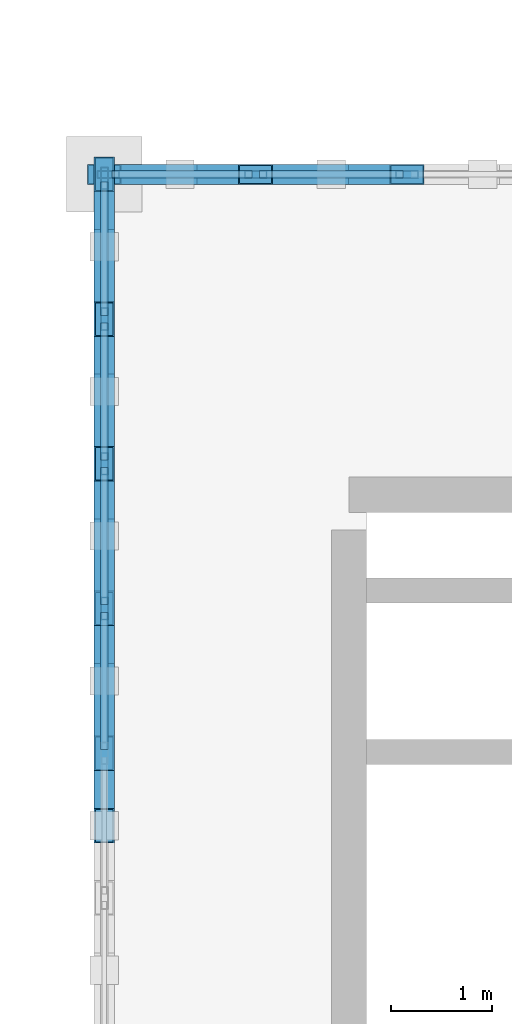
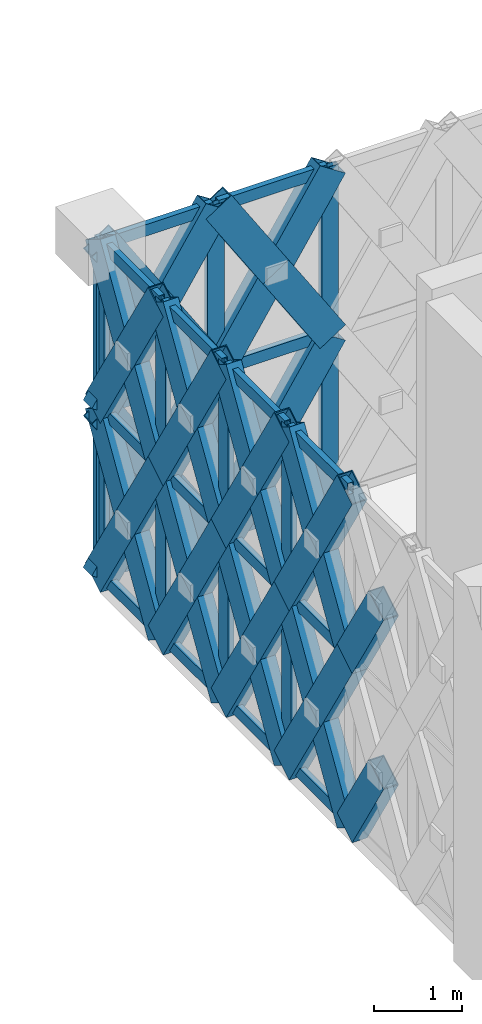
# One storey, part 36 of 72: 63 members, 2 elements without a shape of their own.
"""IFC4 building model written with IfcOpenShell, lengths in metres."""

from ifc_helpers import new_model, si_unit, direction, frame, origin, origin_2d, place, context, subcontext, project, spatial, hollow_rectangle, extrude, material, material_profile, profile_set, type_object, element, aggregate, save


model = new_model("IFC4")

# Units and contexts
model_context = context("Model", 3, precision=1e-05, world=origin(), true_north=direction((0.0, 1.0)))
body_context = subcontext(model_context, "Body", "Model", "MODEL_VIEW")
ifc_project = project(units=[si_unit("LENGTHUNIT", "METRE"), si_unit("AREAUNIT", "SQUARE_METRE"), si_unit("VOLUMEUNIT", "CUBIC_METRE"), si_unit("PLANEANGLEUNIT", "RADIAN"), si_unit("MASSUNIT", "GRAM", prefix="KILO")], contexts=[model_context])

# Site, building, storey
site_placement = place(None, origin())
site = spatial("IfcSite", under=ifc_project, at=site_placement, CompositionType="ELEMENT")
building_placement = place(site_placement, origin())
building = spatial("IfcBuilding", under=site, at=building_placement, Name="Haizhuo Lancet Aquarium", CompositionType="ELEMENT")
storey_placement = place(building_placement, frame((0.0, 0.0, 21.60009765625)))
storey = spatial("IfcBuildingStorey", under=building, at=storey_placement, Name="L04", CompositionType="ELEMENT", Elevation=21.60009765625)

# Curtain wall, members
ifc_material_1 = material(Name="Aluminium 6063-T6", Category="aluminium")
curtain_wall_type_1 = type_object("IfcCurtainWallType", Name="CWD-9000x4650", PredefinedType="NOTDEFINED", material=ifc_material_1)
curtain_wall_1_placement = place(storey_placement, origin())
curtain_wall_1 = element("IfcCurtainWall", 1, at=curtain_wall_1_placement, inside=storey, type_object=curtain_wall_type_1, Name="L04 curtain wall CW-V5-L04-176", PredefinedType="NOTDEFINED")
ifc_material_profile_1 = material_profile(ifc_material_1, hollow_rectangle(XDim=0.074951171875, YDim=0.219970703125, WallThickness=0.0048828125, at=origin_2d()), Name="ALU-M 75x220x5")
ifc_profile_set_1 = profile_set([ifc_material_profile_1], Name="Aluminium 6063-T6")
member_type_1 = type_object("IfcMemberType", Name="CW-MUL-2", PredefinedType="MULLION", material=ifc_profile_set_1)
member_1_placement = place(storey_placement, frame((-26.9619140625, 54.0, 0.0), z_axis=(0.0, 0.0, 1.0), x_axis=(0.0, 1.0, 0.0)))
member_1 = element("IfcMember", 2, at=member_1_placement, type_object=member_type_1, Name="CWD-90x46 mullion 1", PredefinedType="MULLION", context=body_context, shape_type="SweptSolid", body=[
    extrude(hollow_rectangle(XDim=0.074951171875, YDim=0.219970703125, WallThickness=0.0048828125, at=origin_2d()), origin(), (0.0, 0.0, 1.0), 4.64990234375),
])
member_2_placement = place(storey_placement, frame((-25.5, 54.0, 0.0), z_axis=(0.0, 0.0, 1.0), x_axis=(0.0, 1.0, 0.0)))
member_2 = element("IfcMember", 3, at=member_2_placement, type_object=member_type_1, Name="CWD-90x46 mullion 2", PredefinedType="MULLION", context=body_context, shape_type="SweptSolid", body=[
    extrude(hollow_rectangle(XDim=0.074951171875, YDim=0.219970703125, WallThickness=0.0048828125, at=origin_2d()), origin(), (0.0, 0.0, 1.0), 4.64990234375),
])
member_3_placement = place(storey_placement, frame((-24.0, 54.0, 0.0), z_axis=(0.0, 0.0, 1.0), x_axis=(0.0, 1.0, 0.0)))
member_3 = element("IfcMember", 4, at=member_3_placement, type_object=member_type_1, Name="CWD-90x46 mullion 3", PredefinedType="MULLION", context=body_context, shape_type="SweptSolid", body=[
    extrude(hollow_rectangle(XDim=0.074951171875, YDim=0.219970703125, WallThickness=0.0048828125, at=origin_2d()), origin(), (0.0, 0.0, 1.0), 4.64990234375),
])

curtain_wall_type_2 = type_object("IfcCurtainWallType", Name="CWD-8600x4700", PredefinedType="NOTDEFINED", material=ifc_material_1)
curtain_wall_2_placement = place(storey_placement, origin())
curtain_wall_2 = element("IfcCurtainWall", 5, at=curtain_wall_2_placement, inside=storey, type_object=curtain_wall_type_2, Name="L04 curtain wall CW-V5-L04-191", PredefinedType="NOTDEFINED")
member_4_placement = place(storey_placement, frame((-27.0, 49.697998046875, 0.0), z_axis=(0.0, 0.0, 1.0), x_axis=(-1.0, 0.0, 0.0)))
member_4 = element("IfcMember", 6, at=member_4_placement, type_object=member_type_1, Name="CWD-86x47 mullion 4", PredefinedType="MULLION", context=body_context, shape_type="SweptSolid", body=[
    extrude(hollow_rectangle(XDim=0.074951171875, YDim=0.219970703125, WallThickness=0.0048828125, at=origin_2d()), origin(), (0.0, 0.0, 1.0), 4.699951171875),
])
member_5_placement = place(storey_placement, frame((-27.0, 51.132080078125, 0.0), z_axis=(0.0, 0.0, 1.0), x_axis=(-1.0, 0.0, 0.0)))
member_5 = element("IfcMember", 7, at=member_5_placement, type_object=member_type_1, Name="CWD-86x47 mullion 5", PredefinedType="MULLION", context=body_context, shape_type="SweptSolid", body=[
    extrude(hollow_rectangle(XDim=0.074951171875, YDim=0.219970703125, WallThickness=0.0048828125, at=origin_2d()), origin(), (0.0, 0.0, 1.0), 4.699951171875),
])
member_6_placement = place(storey_placement, frame((-27.0, 52.56591796875, 0.0), z_axis=(0.0, 0.0, 1.0), x_axis=(-1.0, 0.0, 0.0)))
member_6 = element("IfcMember", 8, at=member_6_placement, type_object=member_type_1, Name="CWD-86x47 mullion 6", PredefinedType="MULLION", context=body_context, shape_type="SweptSolid", body=[
    extrude(hollow_rectangle(XDim=0.074951171875, YDim=0.219970703125, WallThickness=0.0048828125, at=origin_2d()), origin(), (0.0, 0.0, 1.0), 4.699951171875),
])
member_7_placement = place(storey_placement, frame((-27.0, 53.9619140625, 0.0), z_axis=(0.0, 0.0, 1.0), x_axis=(-1.0, 0.0, 0.0)))
member_7 = element("IfcMember", 9, at=member_7_placement, type_object=member_type_1, Name="CWD-86x47 mullion 7", PredefinedType="MULLION", context=body_context, shape_type="SweptSolid", body=[
    extrude(hollow_rectangle(XDim=0.074951171875, YDim=0.219970703125, WallThickness=0.0048828125, at=origin_2d()), origin(), (0.0, 0.0, 1.0), 4.699951171875),
])

# Member
ifc_material_profile_2 = material_profile(ifc_material_1, hollow_rectangle(XDim=0.074951171875, YDim=0.159912109375, WallThickness=0.00390625, at=origin_2d()), Name="ALU-T 75x160x4")
ifc_profile_set_2 = profile_set([ifc_material_profile_2], Name="Aluminium 6063-T6")
member_type_2 = type_object("IfcMemberType", Name="CW-TRN-2", PredefinedType="NOTDEFINED", material=ifc_profile_set_2)
member_8_placement = place(storey_placement, frame((-26.925048828125, 54.0, 0.037841796875), z_axis=(1.0, 0.0, 0.0), x_axis=(0.0, 1.0, 0.0)))
member_8 = element("IfcMember", 10, at=member_8_placement, type_object=member_type_2, Name="CWD-90x46 transom 1.1", ObjectType="TRANSOM", PredefinedType="USERDEFINED", context=body_context, shape_type="SweptSolid", body=[
    extrude(hollow_rectangle(XDim=0.074951171875, YDim=0.159912109375, WallThickness=0.00390625, at=origin_2d()), origin(), (0.0, 0.0, 1.0), 1.386962890625),
])

member_9_placement = place(storey_placement, frame((-26.925048828125, 54.0, 2.324951171875), z_axis=(1.0, 0.0, 0.0), x_axis=(0.0, 1.0, 0.0)))
member_9 = element("IfcMember", 11, at=member_9_placement, type_object=member_type_2, Name="CWD-90x46 transom 1.2", ObjectType="TRANSOM", PredefinedType="USERDEFINED", context=body_context, shape_type="SweptSolid", body=[
    extrude(hollow_rectangle(XDim=0.074951171875, YDim=0.159912109375, WallThickness=0.00390625, at=origin_2d()), origin(), (0.0, 0.0, 1.0), 1.386962890625),
])

member_10_placement = place(storey_placement, frame((-26.925048828125, 54.0, 4.61181640625), z_axis=(1.0, 0.0, 0.0), x_axis=(0.0, 1.0, 0.0)))
member_10 = element("IfcMember", 12, at=member_10_placement, type_object=member_type_2, Name="CWD-90x46 transom 1.3", ObjectType="TRANSOM", PredefinedType="USERDEFINED", context=body_context, shape_type="SweptSolid", body=[
    extrude(hollow_rectangle(XDim=0.074951171875, YDim=0.159912109375, WallThickness=0.00390625, at=origin_2d()), origin(), (0.0, 0.0, 1.0), 1.386962890625),
])

member_11_placement = place(storey_placement, frame((-25.4619140625, 54.0, 0.037841796875), z_axis=(1.0, 0.0, 0.0), x_axis=(0.0, 1.0, 0.0)))
member_11 = element("IfcMember", 13, at=member_11_placement, type_object=member_type_2, Name="CWD-90x46 transom 2.1", ObjectType="TRANSOM", PredefinedType="USERDEFINED", context=body_context, shape_type="SweptSolid", body=[
    extrude(hollow_rectangle(XDim=0.074951171875, YDim=0.159912109375, WallThickness=0.00390625, at=origin_2d()), origin(), (0.0, 0.0, 1.0), 1.423828125),
])

member_12_placement = place(storey_placement, frame((-25.4619140625, 54.0, 2.324951171875), z_axis=(1.0, 0.0, 0.0), x_axis=(0.0, 1.0, 0.0)))
member_12 = element("IfcMember", 14, at=member_12_placement, type_object=member_type_2, Name="CWD-90x46 transom 2.2", ObjectType="TRANSOM", PredefinedType="USERDEFINED", context=body_context, shape_type="SweptSolid", body=[
    extrude(hollow_rectangle(XDim=0.074951171875, YDim=0.159912109375, WallThickness=0.00390625, at=origin_2d()), origin(), (0.0, 0.0, 1.0), 1.423828125),
])

member_13_placement = place(storey_placement, frame((-25.4619140625, 54.0, 4.61181640625), z_axis=(1.0, 0.0, 0.0), x_axis=(0.0, 1.0, 0.0)))
member_13 = element("IfcMember", 15, at=member_13_placement, type_object=member_type_2, Name="CWD-90x46 transom 2.3", ObjectType="TRANSOM", PredefinedType="USERDEFINED", context=body_context, shape_type="SweptSolid", body=[
    extrude(hollow_rectangle(XDim=0.074951171875, YDim=0.159912109375, WallThickness=0.00390625, at=origin_2d()), origin(), (0.0, 0.0, 1.0), 1.423828125),
])

aggregate(curtain_wall_1, [member_1, member_2, member_3, member_8, member_9, member_10, member_11, member_12, member_13])

member_14_placement = place(storey_placement, frame((-27.0, 48.301025390625, 0.037841796875), z_axis=(0.0, 1.0, 0.0), x_axis=(-1.0, 0.0, 0.0)))
member_14 = element("IfcMember", 16, at=member_14_placement, type_object=member_type_2, Name="CWD-86x47 transom 3.1", ObjectType="TRANSOM", PredefinedType="USERDEFINED", context=body_context, shape_type="SweptSolid", body=[
    extrude(hollow_rectangle(XDim=0.074951171875, YDim=0.159912109375, WallThickness=0.00390625, at=origin_2d()), origin(), (0.0, 0.0, 1.0), 1.35888671875),
])

member_15_placement = place(storey_placement, frame((-27.0, 48.301025390625, 2.349853515625), z_axis=(0.0, 1.0, 0.0), x_axis=(-1.0, 0.0, 0.0)))
member_15 = element("IfcMember", 17, at=member_15_placement, type_object=member_type_2, Name="CWD-86x47 transom 3.2", ObjectType="TRANSOM", PredefinedType="USERDEFINED", context=body_context, shape_type="SweptSolid", body=[
    extrude(hollow_rectangle(XDim=0.074951171875, YDim=0.159912109375, WallThickness=0.00390625, at=origin_2d()), origin(), (0.0, 0.0, 1.0), 1.35888671875),
])

member_16_placement = place(storey_placement, frame((-27.0, 48.301025390625, 4.661865234375), z_axis=(0.0, 1.0, 0.0), x_axis=(-1.0, 0.0, 0.0)))
member_16 = element("IfcMember", 18, at=member_16_placement, type_object=member_type_2, Name="CWD-86x47 transom 3.3", ObjectType="TRANSOM", PredefinedType="USERDEFINED", context=body_context, shape_type="SweptSolid", body=[
    extrude(hollow_rectangle(XDim=0.074951171875, YDim=0.159912109375, WallThickness=0.00390625, at=origin_2d()), origin(), (0.0, 0.0, 1.0), 1.35888671875),
])

member_17_placement = place(storey_placement, frame((-27.0, 49.735107421875, 0.037841796875), z_axis=(0.0, 1.0, 0.0), x_axis=(-1.0, 0.0, 0.0)))
member_17 = element("IfcMember", 19, at=member_17_placement, type_object=member_type_2, Name="CWD-86x47 transom 4.1", ObjectType="TRANSOM", PredefinedType="USERDEFINED", context=body_context, shape_type="SweptSolid", body=[
    extrude(hollow_rectangle(XDim=0.074951171875, YDim=0.159912109375, WallThickness=0.00390625, at=origin_2d()), origin(), (0.0, 0.0, 1.0), 1.35888671875),
])

member_18_placement = place(storey_placement, frame((-27.0, 49.735107421875, 2.349853515625), z_axis=(0.0, 1.0, 0.0), x_axis=(-1.0, 0.0, 0.0)))
member_18 = element("IfcMember", 20, at=member_18_placement, type_object=member_type_2, Name="CWD-86x47 transom 4.2", ObjectType="TRANSOM", PredefinedType="USERDEFINED", context=body_context, shape_type="SweptSolid", body=[
    extrude(hollow_rectangle(XDim=0.074951171875, YDim=0.159912109375, WallThickness=0.00390625, at=origin_2d()), origin(), (0.0, 0.0, 1.0), 1.35888671875),
])

member_19_placement = place(storey_placement, frame((-27.0, 49.735107421875, 4.661865234375), z_axis=(0.0, 1.0, 0.0), x_axis=(-1.0, 0.0, 0.0)))
member_19 = element("IfcMember", 21, at=member_19_placement, type_object=member_type_2, Name="CWD-86x47 transom 4.3", ObjectType="TRANSOM", PredefinedType="USERDEFINED", context=body_context, shape_type="SweptSolid", body=[
    extrude(hollow_rectangle(XDim=0.074951171875, YDim=0.159912109375, WallThickness=0.00390625, at=origin_2d()), origin(), (0.0, 0.0, 1.0), 1.35888671875),
])

member_20_placement = place(storey_placement, frame((-27.0, 51.1689453125, 0.037841796875), z_axis=(0.0, 1.0, 0.0), x_axis=(-1.0, 0.0, 0.0)))
member_20 = element("IfcMember", 22, at=member_20_placement, type_object=member_type_2, Name="CWD-86x47 transom 5.1", ObjectType="TRANSOM", PredefinedType="USERDEFINED", context=body_context, shape_type="SweptSolid", body=[
    extrude(hollow_rectangle(XDim=0.074951171875, YDim=0.159912109375, WallThickness=0.00390625, at=origin_2d()), origin(), (0.0, 0.0, 1.0), 1.359130859375),
])

member_21_placement = place(storey_placement, frame((-27.0, 51.1689453125, 2.349853515625), z_axis=(0.0, 1.0, 0.0), x_axis=(-1.0, 0.0, 0.0)))
member_21 = element("IfcMember", 23, at=member_21_placement, type_object=member_type_2, Name="CWD-86x47 transom 5.2", ObjectType="TRANSOM", PredefinedType="USERDEFINED", context=body_context, shape_type="SweptSolid", body=[
    extrude(hollow_rectangle(XDim=0.074951171875, YDim=0.159912109375, WallThickness=0.00390625, at=origin_2d()), origin(), (0.0, 0.0, 1.0), 1.359130859375),
])

member_22_placement = place(storey_placement, frame((-27.0, 51.1689453125, 4.661865234375), z_axis=(0.0, 1.0, 0.0), x_axis=(-1.0, 0.0, 0.0)))
member_22 = element("IfcMember", 24, at=member_22_placement, type_object=member_type_2, Name="CWD-86x47 transom 5.3", ObjectType="TRANSOM", PredefinedType="USERDEFINED", context=body_context, shape_type="SweptSolid", body=[
    extrude(hollow_rectangle(XDim=0.074951171875, YDim=0.159912109375, WallThickness=0.00390625, at=origin_2d()), origin(), (0.0, 0.0, 1.0), 1.359130859375),
])

member_23_placement = place(storey_placement, frame((-27.0, 52.60302734375, 0.037841796875), z_axis=(0.0, 1.0, 0.0), x_axis=(-1.0, 0.0, 0.0)))
member_23 = element("IfcMember", 25, at=member_23_placement, type_object=member_type_2, Name="CWD-86x47 transom 6.1", ObjectType="TRANSOM", PredefinedType="USERDEFINED", context=body_context, shape_type="SweptSolid", body=[
    extrude(hollow_rectangle(XDim=0.074951171875, YDim=0.159912109375, WallThickness=0.00390625, at=origin_2d()), origin(), (0.0, 0.0, 1.0), 1.322021484375),
])

member_24_placement = place(storey_placement, frame((-27.0, 52.60302734375, 2.349853515625), z_axis=(0.0, 1.0, 0.0), x_axis=(-1.0, 0.0, 0.0)))
member_24 = element("IfcMember", 26, at=member_24_placement, type_object=member_type_2, Name="CWD-86x47 transom 6.2", ObjectType="TRANSOM", PredefinedType="USERDEFINED", context=body_context, shape_type="SweptSolid", body=[
    extrude(hollow_rectangle(XDim=0.074951171875, YDim=0.159912109375, WallThickness=0.00390625, at=origin_2d()), origin(), (0.0, 0.0, 1.0), 1.322021484375),
])

member_25_placement = place(storey_placement, frame((-27.0, 52.60302734375, 4.661865234375), z_axis=(0.0, 1.0, 0.0), x_axis=(-1.0, 0.0, 0.0)))
member_25 = element("IfcMember", 27, at=member_25_placement, type_object=member_type_2, Name="CWD-86x47 transom 6.3", ObjectType="TRANSOM", PredefinedType="USERDEFINED", context=body_context, shape_type="SweptSolid", body=[
    extrude(hollow_rectangle(XDim=0.074951171875, YDim=0.159912109375, WallThickness=0.00390625, at=origin_2d()), origin(), (0.0, 0.0, 1.0), 1.322021484375),
])

aggregate(curtain_wall_2, [member_4, member_5, member_6, member_7, member_14, member_15, member_16, member_17, member_18, member_19, member_20, member_21, member_22, member_23, member_24, member_25])

# Members
ifc_material_2 = material(Name="Steel S355", Category="steel")
ifc_material_profile_3 = material_profile(ifc_material_2, hollow_rectangle(XDim=0.199951171875, YDim=0.39990234375, WallThickness=0.011962890625, at=origin_2d()), Name="RHS 200x400x12")
ifc_profile_set_3 = profile_set([ifc_material_profile_3], Name="Steel S355")
member_type_3 = type_object("IfcMemberType", Name="MEM-LB-RHS200x400", PredefinedType="BRACE", material=ifc_profile_set_3)
member_26_placement = place(storey_placement, frame((-27.0, 54.0, 0.0), z_axis=(0.542134909125, 0.0, 0.840291461523), x_axis=(0.0, 1.0, 0.0)))
element("IfcMember", 28, at=member_26_placement, inside=storey, type_object=member_type_3, Name="Gothic lancet continuous diagonal brace CW-V5-L04-176 1A", PredefinedType="BRACE", context=body_context, shape_type="SweptSolid", body=[
    extrude(hollow_rectangle(XDim=0.199951171875, YDim=0.39990234375, WallThickness=0.011962890625, at=origin_2d()), origin(), (0.0, 0.0, 1.0), 2.766845703125),
])
member_27_placement = place(storey_placement, frame((-25.5, 54.0, 0.0), z_axis=(-0.542014339406, 0.0, 0.840369237822), x_axis=(0.0, -1.0, 0.0)))
element("IfcMember", 29, at=member_27_placement, inside=storey, type_object=member_type_3, Name="Gothic lancet split diagonal brace CW-V5-L04-176 1B1", PredefinedType="BRACE", context=body_context, shape_type="SweptSolid", body=[
    extrude(hollow_rectangle(XDim=0.199951171875, YDim=0.39990234375, WallThickness=0.011962890625, at=origin_2d()), origin(), (0.0, 0.0, 1.0), 1.3837890625),
])
member_28_placement = place(storey_placement, frame((-26.25, 54.0, 1.162841796875), z_axis=(-0.542255521326, 0.0, 0.840213633305), x_axis=(0.0, -1.0, 0.0)))
element("IfcMember", 30, at=member_28_placement, inside=storey, type_object=member_type_3, Name="Gothic lancet split diagonal brace CW-V5-L04-176 1B2", PredefinedType="BRACE", context=body_context, shape_type="SweptSolid", body=[
    extrude(hollow_rectangle(XDim=0.199951171875, YDim=0.39990234375, WallThickness=0.011962890625, at=origin_2d()), origin(), (0.0, 0.0, 1.0), 1.383056640625),
])
member_29_placement = place(storey_placement, frame((-27.0, 54.0, 2.324951171875), z_axis=(0.542134909125, 0.0, 0.840291461523), x_axis=(0.0, 1.0, 0.0)))
element("IfcMember", 31, at=member_29_placement, inside=storey, type_object=member_type_3, Name="Gothic lancet continuous diagonal brace CW-V5-L04-176 2A", PredefinedType="BRACE", context=body_context, shape_type="SweptSolid", body=[
    extrude(hollow_rectangle(XDim=0.199951171875, YDim=0.39990234375, WallThickness=0.011962890625, at=origin_2d()), origin(), (0.0, 0.0, 1.0), 2.766845703125),
])
member_30_placement = place(storey_placement, frame((-25.5, 54.0, 2.324951171875), z_axis=(-0.542335953068, 0.0, 0.840161718962), x_axis=(0.0, -1.0, 0.0)))
element("IfcMember", 32, at=member_30_placement, inside=storey, type_object=member_type_3, Name="Gothic lancet split diagonal brace CW-V5-L04-176 2B1", PredefinedType="BRACE", context=body_context, shape_type="SweptSolid", body=[
    extrude(hollow_rectangle(XDim=0.199951171875, YDim=0.39990234375, WallThickness=0.011962890625, at=origin_2d()), origin(), (0.0, 0.0, 1.0), 1.3828125),
])
member_31_placement = place(storey_placement, frame((-26.25, 54.0, 3.48681640625), z_axis=(-0.541933983188, 0.0, 0.840421059866), x_axis=(0.0, -1.0, 0.0)))
element("IfcMember", 33, at=member_31_placement, inside=storey, type_object=member_type_3, Name="Gothic lancet split diagonal brace CW-V5-L04-176 2B2", PredefinedType="BRACE", context=body_context, shape_type="SweptSolid", body=[
    extrude(hollow_rectangle(XDim=0.199951171875, YDim=0.39990234375, WallThickness=0.011962890625, at=origin_2d()), origin(), (0.0, 0.0, 1.0), 1.384033203125),
])
member_32_placement = place(storey_placement, frame((-25.5, 54.0, 0.0), z_axis=(0.542134909125, 0.0, 0.840291461523), x_axis=(0.0, 1.0, 0.0)))
element("IfcMember", 34, at=member_32_placement, inside=storey, type_object=member_type_3, Name="Gothic lancet continuous diagonal brace CW-V5-L04-176 3A", PredefinedType="BRACE", context=body_context, shape_type="SweptSolid", body=[
    extrude(hollow_rectangle(XDim=0.199951171875, YDim=0.39990234375, WallThickness=0.011962890625, at=origin_2d()), origin(), (0.0, 0.0, 1.0), 2.766845703125),
])
member_33_placement = place(storey_placement, frame((-24.0, 54.0, 0.0), z_axis=(-0.542014339406, 0.0, 0.840369237822), x_axis=(0.0, -1.0, 0.0)))
element("IfcMember", 35, at=member_33_placement, inside=storey, type_object=member_type_3, Name="Gothic lancet split diagonal brace CW-V5-L04-176 3B1", PredefinedType="BRACE", context=body_context, shape_type="SweptSolid", body=[
    extrude(hollow_rectangle(XDim=0.199951171875, YDim=0.39990234375, WallThickness=0.011962890625, at=origin_2d()), origin(), (0.0, 0.0, 1.0), 1.3837890625),
])
member_34_placement = place(storey_placement, frame((-24.75, 54.0, 1.162841796875), z_axis=(-0.542255521326, 0.0, 0.840213633305), x_axis=(0.0, -1.0, 0.0)))
element("IfcMember", 36, at=member_34_placement, inside=storey, type_object=member_type_3, Name="Gothic lancet split diagonal brace CW-V5-L04-176 3B2", PredefinedType="BRACE", context=body_context, shape_type="SweptSolid", body=[
    extrude(hollow_rectangle(XDim=0.199951171875, YDim=0.39990234375, WallThickness=0.011962890625, at=origin_2d()), origin(), (0.0, 0.0, 1.0), 1.383056640625),
])
member_35_placement = place(storey_placement, frame((-25.5, 54.0, 2.324951171875), z_axis=(0.542134909125, 0.0, 0.840291461523), x_axis=(0.0, 1.0, 0.0)))
element("IfcMember", 37, at=member_35_placement, inside=storey, type_object=member_type_3, Name="Gothic lancet continuous diagonal brace CW-V5-L04-176 4A", PredefinedType="BRACE", context=body_context, shape_type="SweptSolid", body=[
    extrude(hollow_rectangle(XDim=0.199951171875, YDim=0.39990234375, WallThickness=0.011962890625, at=origin_2d()), origin(), (0.0, 0.0, 1.0), 2.766845703125),
])
member_36_placement = place(storey_placement, frame((-24.0, 54.0, 2.324951171875), z_axis=(-0.542335953068, 0.0, 0.840161718962), x_axis=(0.0, -1.0, 0.0)))
element("IfcMember", 38, at=member_36_placement, inside=storey, type_object=member_type_3, Name="Gothic lancet split diagonal brace CW-V5-L04-176 4B1", PredefinedType="BRACE", context=body_context, shape_type="SweptSolid", body=[
    extrude(hollow_rectangle(XDim=0.199951171875, YDim=0.39990234375, WallThickness=0.011962890625, at=origin_2d()), origin(), (0.0, 0.0, 1.0), 1.3828125),
])
member_37_placement = place(storey_placement, frame((-24.75, 54.0, 3.48681640625), z_axis=(-0.541933983188, 0.0, 0.840421059866), x_axis=(0.0, -1.0, 0.0)))
element("IfcMember", 39, at=member_37_placement, inside=storey, type_object=member_type_3, Name="Gothic lancet split diagonal brace CW-V5-L04-176 4B2", PredefinedType="BRACE", context=body_context, shape_type="SweptSolid", body=[
    extrude(hollow_rectangle(XDim=0.199951171875, YDim=0.39990234375, WallThickness=0.011962890625, at=origin_2d()), origin(), (0.0, 0.0, 1.0), 1.384033203125),
])
member_38_placement = place(storey_placement, frame((-27.0, 48.262939453125, 0.0), z_axis=(0.0, -0.520976374056, 0.853571097024), x_axis=(1.0, 0.0, 0.0)))
element("IfcMember", 40, at=member_38_placement, inside=storey, type_object=member_type_3, Name="Gothic lancet split diagonal brace CW-V5-L04-191 3B1", PredefinedType="BRACE", context=body_context, shape_type="SweptSolid", body=[
    extrude(hollow_rectangle(XDim=0.199951171875, YDim=0.39990234375, WallThickness=0.011962890625, at=origin_2d()), origin(), (0.0, 0.0, 1.0), 1.376220703125),
])
member_39_placement = place(storey_placement, frame((-27.0, 48.262939453125, 2.349853515625), z_axis=(0.0, -0.520897502883, 0.853619230975), x_axis=(1.0, 0.0, 0.0)))
element("IfcMember", 41, at=member_39_placement, inside=storey, type_object=member_type_3, Name="Gothic lancet split diagonal brace CW-V5-L04-191 4B1", PredefinedType="BRACE", context=body_context, shape_type="SweptSolid", body=[
    extrude(hollow_rectangle(XDim=0.199951171875, YDim=0.39990234375, WallThickness=0.011962890625, at=origin_2d()), origin(), (0.0, 0.0, 1.0), 1.37646484375),
])
member_40_placement = place(storey_placement, frame((-27.0, 48.262939453125, 0.0), z_axis=(0.0, 0.521195337346, 0.853437414418), x_axis=(-1.0, 0.0, 0.0)))
element("IfcMember", 42, at=member_40_placement, inside=storey, type_object=member_type_3, Name="Gothic lancet continuous diagonal brace CW-V5-L04-191 5A", PredefinedType="BRACE", context=body_context, shape_type="SweptSolid", body=[
    extrude(hollow_rectangle(XDim=0.199951171875, YDim=0.39990234375, WallThickness=0.011962890625, at=origin_2d()), origin(), (0.0, 0.0, 1.0), 2.75341796875),
])
member_41_placement = place(storey_placement, frame((-27.0, 49.697998046875, 0.0), z_axis=(0.0, -0.521493043338, 0.853255533677), x_axis=(1.0, 0.0, 0.0)))
element("IfcMember", 43, at=member_41_placement, inside=storey, type_object=member_type_3, Name="Gothic lancet split diagonal brace CW-V5-L04-191 5B1", PredefinedType="BRACE", context=body_context, shape_type="SweptSolid", body=[
    extrude(hollow_rectangle(XDim=0.199951171875, YDim=0.39990234375, WallThickness=0.011962890625, at=origin_2d()), origin(), (0.0, 0.0, 1.0), 1.376953125),
])
member_42_placement = place(storey_placement, frame((-27.0, 48.97998046875, 1.1748046875), z_axis=(0.0, -0.520897502883, 0.853619230975), x_axis=(1.0, 0.0, 0.0)))
element("IfcMember", 44, at=member_42_placement, inside=storey, type_object=member_type_3, Name="Gothic lancet split diagonal brace CW-V5-L04-191 5B2", PredefinedType="BRACE", context=body_context, shape_type="SweptSolid", body=[
    extrude(hollow_rectangle(XDim=0.199951171875, YDim=0.39990234375, WallThickness=0.011962890625, at=origin_2d()), origin(), (0.0, 0.0, 1.0), 1.37646484375),
])
member_43_placement = place(storey_placement, frame((-27.0, 48.262939453125, 2.349853515625), z_axis=(0.0, 0.521155899207, 0.85346149809), x_axis=(-1.0, 0.0, 0.0)))
element("IfcMember", 45, at=member_43_placement, inside=storey, type_object=member_type_3, Name="Gothic lancet continuous diagonal brace CW-V5-L04-191 6A", PredefinedType="BRACE", context=body_context, shape_type="SweptSolid", body=[
    extrude(hollow_rectangle(XDim=0.199951171875, YDim=0.39990234375, WallThickness=0.011962890625, at=origin_2d()), origin(), (0.0, 0.0, 1.0), 2.753662109375),
])
member_44_placement = place(storey_placement, frame((-27.0, 49.697998046875, 2.349853515625), z_axis=(0.0, -0.521414152296, 0.853303745325), x_axis=(1.0, 0.0, 0.0)))
element("IfcMember", 46, at=member_44_placement, inside=storey, type_object=member_type_3, Name="Gothic lancet split diagonal brace CW-V5-L04-191 6B1", PredefinedType="BRACE", context=body_context, shape_type="SweptSolid", body=[
    extrude(hollow_rectangle(XDim=0.199951171875, YDim=0.39990234375, WallThickness=0.011962890625, at=origin_2d()), origin(), (0.0, 0.0, 1.0), 1.376953125),
])
member_45_placement = place(storey_placement, frame((-27.0, 48.97998046875, 3.52490234375), z_axis=(0.0, -0.520897502883, 0.853619230975), x_axis=(1.0, 0.0, 0.0)))
element("IfcMember", 47, at=member_45_placement, inside=storey, type_object=member_type_3, Name="Gothic lancet split diagonal brace CW-V5-L04-191 6B2", PredefinedType="BRACE", context=body_context, shape_type="SweptSolid", body=[
    extrude(hollow_rectangle(XDim=0.199951171875, YDim=0.39990234375, WallThickness=0.011962890625, at=origin_2d()), origin(), (0.0, 0.0, 1.0), 1.37646484375),
])
member_46_placement = place(storey_placement, frame((-27.0, 49.697998046875, 0.0), z_axis=(0.0, 0.52093693604, 0.853595166732), x_axis=(-1.0, 0.0, 0.0)))
element("IfcMember", 48, at=member_46_placement, inside=storey, type_object=member_type_3, Name="Gothic lancet continuous diagonal brace CW-V5-L04-191 7A", PredefinedType="BRACE", context=body_context, shape_type="SweptSolid", body=[
    extrude(hollow_rectangle(XDim=0.199951171875, YDim=0.39990234375, WallThickness=0.011962890625, at=origin_2d()), origin(), (0.0, 0.0, 1.0), 2.7529296875),
])
member_47_placement = place(storey_placement, frame((-27.0, 51.132080078125, 0.0), z_axis=(0.0, -0.520976374056, 0.853571097024), x_axis=(1.0, 0.0, 0.0)))
element("IfcMember", 49, at=member_47_placement, inside=storey, type_object=member_type_3, Name="Gothic lancet split diagonal brace CW-V5-L04-191 7B1", PredefinedType="BRACE", context=body_context, shape_type="SweptSolid", body=[
    extrude(hollow_rectangle(XDim=0.199951171875, YDim=0.39990234375, WallThickness=0.011962890625, at=origin_2d()), origin(), (0.0, 0.0, 1.0), 1.376220703125),
])
member_48_placement = place(storey_placement, frame((-27.0, 50.4150390625, 1.1748046875), z_axis=(0.0, -0.520897502883, 0.853619230975), x_axis=(1.0, 0.0, 0.0)))
element("IfcMember", 50, at=member_48_placement, inside=storey, type_object=member_type_3, Name="Gothic lancet split diagonal brace CW-V5-L04-191 7B2", PredefinedType="BRACE", context=body_context, shape_type="SweptSolid", body=[
    extrude(hollow_rectangle(XDim=0.199951171875, YDim=0.39990234375, WallThickness=0.011962890625, at=origin_2d()), origin(), (0.0, 0.0, 1.0), 1.37646484375),
])
member_49_placement = place(storey_placement, frame((-27.0, 49.697998046875, 2.349853515625), z_axis=(0.0, 0.520897502883, 0.853619230975), x_axis=(-1.0, 0.0, 0.0)))
element("IfcMember", 51, at=member_49_placement, inside=storey, type_object=member_type_3, Name="Gothic lancet continuous diagonal brace CW-V5-L04-191 8A", PredefinedType="BRACE", context=body_context, shape_type="SweptSolid", body=[
    extrude(hollow_rectangle(XDim=0.199951171875, YDim=0.39990234375, WallThickness=0.011962890625, at=origin_2d()), origin(), (0.0, 0.0, 1.0), 2.753173828125),
])
for number, where, z_axis, x_axis, name in (
    (52, (-27.0, 51.132080078125, 2.349853515625), (0.0, -0.520897502883, 0.853619230975), (1.0, 0.0, 0.0), "Gothic lancet split diagonal brace CW-V5-L04-191 8B1"),
    (53, (-27.0, 50.4150390625, 3.52490234375), (0.0, -0.520897502883, 0.853619230975), (1.0, 0.0, 0.0), "Gothic lancet split diagonal brace CW-V5-L04-191 8B2"),
):
    element("IfcMember", number, at=place(storey_placement, frame(where, z_axis=z_axis, x_axis=x_axis)), inside=storey, type_object=member_type_3, Name=name, PredefinedType="BRACE", context=body_context, shape_type="SweptSolid", body=[
        extrude(hollow_rectangle(XDim=0.199951171875, YDim=0.39990234375, WallThickness=0.011962890625, at=origin_2d()), origin(), (0.0, 0.0, 1.0), 1.37646484375),
    ])
member_50_placement = place(storey_placement, frame((-27.0, 51.132080078125, 0.0), z_axis=(0.0, 0.520872313325, 0.853634601695), x_axis=(-1.0, 0.0, 0.0)))
element("IfcMember", 54, at=member_50_placement, inside=storey, type_object=member_type_3, Name="Gothic lancet continuous diagonal brace CW-V5-L04-191 9A", PredefinedType="BRACE", context=body_context, shape_type="SweptSolid", body=[
    extrude(hollow_rectangle(XDim=0.199951171875, YDim=0.39990234375, WallThickness=0.011962890625, at=origin_2d()), origin(), (0.0, 0.0, 1.0), 2.752685546875),
])
member_51_placement = place(storey_placement, frame((-27.0, 52.56591796875, 0.0), z_axis=(0.0, -0.520847117172, 0.853649975419), x_axis=(1.0, 0.0, 0.0)))
element("IfcMember", 55, at=member_51_placement, inside=storey, type_object=member_type_3, Name="Gothic lancet split diagonal brace CW-V5-L04-191 9B1", PredefinedType="BRACE", context=body_context, shape_type="SweptSolid", body=[
    extrude(hollow_rectangle(XDim=0.199951171875, YDim=0.39990234375, WallThickness=0.011962890625, at=origin_2d()), origin(), (0.0, 0.0, 1.0), 1.376220703125),
])
member_52_placement = place(storey_placement, frame((-27.0, 51.84912109375, 1.1748046875), z_axis=(0.0, -0.520897502883, 0.853619230975), x_axis=(1.0, 0.0, 0.0)))
element("IfcMember", 56, at=member_52_placement, inside=storey, type_object=member_type_3, Name="Gothic lancet split diagonal brace CW-V5-L04-191 9B2", PredefinedType="BRACE", context=body_context, shape_type="SweptSolid", body=[
    extrude(hollow_rectangle(XDim=0.199951171875, YDim=0.39990234375, WallThickness=0.011962890625, at=origin_2d()), origin(), (0.0, 0.0, 1.0), 1.37646484375),
])
member_53_placement = place(storey_placement, frame((-27.0, 51.132080078125, 2.349853515625), z_axis=(0.0, 0.520832881417, 0.853658661079), x_axis=(-1.0, 0.0, 0.0)))
element("IfcMember", 57, at=member_53_placement, inside=storey, type_object=member_type_3, Name="Gothic lancet continuous diagonal brace CW-V5-L04-191 10A", PredefinedType="BRACE", context=body_context, shape_type="SweptSolid", body=[
    extrude(hollow_rectangle(XDim=0.199951171875, YDim=0.39990234375, WallThickness=0.011962890625, at=origin_2d()), origin(), (0.0, 0.0, 1.0), 2.7529296875),
])
for number, where, z_axis, x_axis, name in (
    (58, (-27.0, 52.56591796875, 2.349853515625), (0.0, -0.520768250996, 0.853698089933), (1.0, 0.0, 0.0), "Gothic lancet split diagonal brace CW-V5-L04-191 10B1"),
    (59, (-27.0, 51.84912109375, 3.52490234375), (0.0, -0.520897502883, 0.853619230975), (1.0, 0.0, 0.0), "Gothic lancet split diagonal brace CW-V5-L04-191 10B2"),
):
    element("IfcMember", number, at=place(storey_placement, frame(where, z_axis=z_axis, x_axis=x_axis)), inside=storey, type_object=member_type_3, Name=name, PredefinedType="BRACE", context=body_context, shape_type="SweptSolid", body=[
        extrude(hollow_rectangle(XDim=0.199951171875, YDim=0.39990234375, WallThickness=0.011962890625, at=origin_2d()), origin(), (0.0, 0.0, 1.0), 1.37646484375),
    ])
member_54_placement = place(storey_placement, frame((-27.0, 52.56591796875, 0.0), z_axis=(0.0, 0.52093693604, 0.853595166732), x_axis=(-1.0, 0.0, 0.0)))
element("IfcMember", 60, at=member_54_placement, inside=storey, type_object=member_type_3, Name="Gothic lancet continuous diagonal brace CW-V5-L04-191 11A", PredefinedType="BRACE", context=body_context, shape_type="SweptSolid", body=[
    extrude(hollow_rectangle(XDim=0.199951171875, YDim=0.39990234375, WallThickness=0.011962890625, at=origin_2d()), origin(), (0.0, 0.0, 1.0), 2.7529296875),
])
member_55_placement = place(storey_placement, frame((-27.0, 54.0, 0.0), z_axis=(0.0, -0.520976374056, 0.853571097024), x_axis=(1.0, 0.0, 0.0)))
element("IfcMember", 61, at=member_55_placement, inside=storey, type_object=member_type_3, Name="Gothic lancet split diagonal brace CW-V5-L04-191 11B1", PredefinedType="BRACE", context=body_context, shape_type="SweptSolid", body=[
    extrude(hollow_rectangle(XDim=0.199951171875, YDim=0.39990234375, WallThickness=0.011962890625, at=origin_2d()), origin(), (0.0, 0.0, 1.0), 1.376220703125),
])
member_56_placement = place(storey_placement, frame((-27.0, 53.282958984375, 1.1748046875), z_axis=(0.0, -0.520897502883, 0.853619230975), x_axis=(1.0, 0.0, 0.0)))
element("IfcMember", 62, at=member_56_placement, inside=storey, type_object=member_type_3, Name="Gothic lancet split diagonal brace CW-V5-L04-191 11B2", PredefinedType="BRACE", context=body_context, shape_type="SweptSolid", body=[
    extrude(hollow_rectangle(XDim=0.199951171875, YDim=0.39990234375, WallThickness=0.011962890625, at=origin_2d()), origin(), (0.0, 0.0, 1.0), 1.37646484375),
])
member_57_placement = place(storey_placement, frame((-27.0, 52.56591796875, 2.349853515625), z_axis=(0.0, 0.520897502883, 0.853619230975), x_axis=(-1.0, 0.0, 0.0)))
element("IfcMember", 63, at=member_57_placement, inside=storey, type_object=member_type_3, Name="Gothic lancet continuous diagonal brace CW-V5-L04-191 12A", PredefinedType="BRACE", context=body_context, shape_type="SweptSolid", body=[
    extrude(hollow_rectangle(XDim=0.199951171875, YDim=0.39990234375, WallThickness=0.011962890625, at=origin_2d()), origin(), (0.0, 0.0, 1.0), 2.753173828125),
])
for number, where, z_axis, x_axis, name in (
    (64, (-27.0, 54.0, 2.349853515625), (0.0, -0.520897502883, 0.853619230975), (1.0, 0.0, 0.0), "Gothic lancet split diagonal brace CW-V5-L04-191 12B1"),
    (65, (-27.0, 53.282958984375, 3.52490234375), (0.0, -0.520897502883, 0.853619230975), (1.0, 0.0, 0.0), "Gothic lancet split diagonal brace CW-V5-L04-191 12B2"),
):
    element("IfcMember", number, at=place(storey_placement, frame(where, z_axis=z_axis, x_axis=x_axis)), inside=storey, type_object=member_type_3, Name=name, PredefinedType="BRACE", context=body_context, shape_type="SweptSolid", body=[
        extrude(hollow_rectangle(XDim=0.199951171875, YDim=0.39990234375, WallThickness=0.011962890625, at=origin_2d()), origin(), (0.0, 0.0, 1.0), 1.37646484375),
    ])

save(model, "model.ifc")
